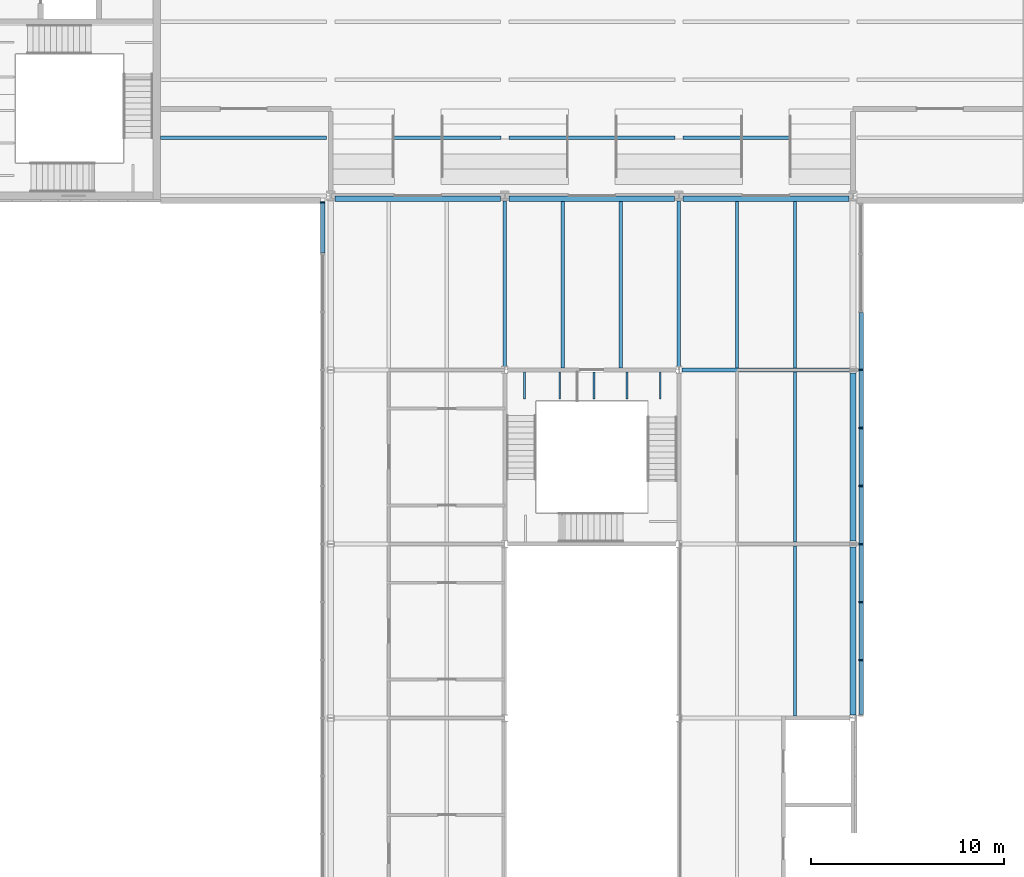
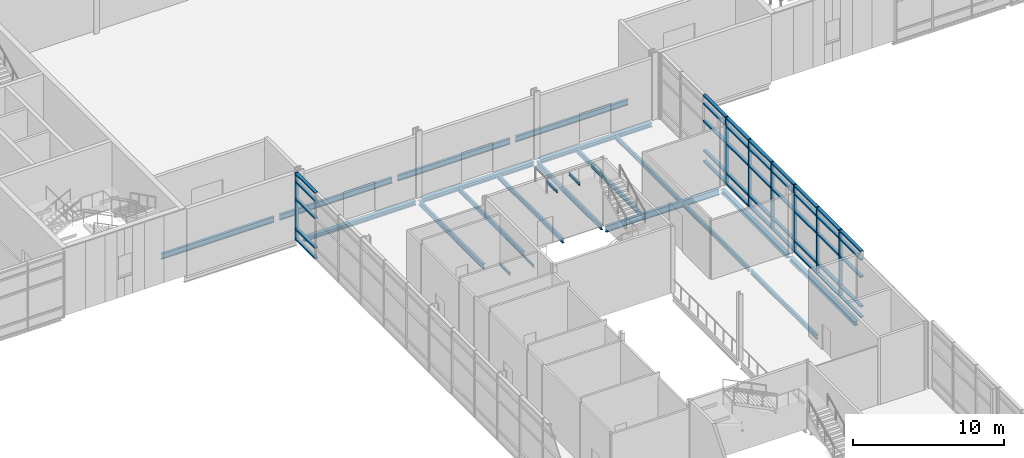
# One storey, part 18 of 52: 47 members, 23 beams, 2 elements without a shape of their own.
"""IFC4 building model written with IfcOpenShell, lengths in metres."""

from ifc_helpers import new_model, si_unit, direction, frame, origin, origin_2d, place, context, subcontext, project, spatial, rectangle, i_section, extrude, material, material_profile, profile_set, type_object, element, aggregate, save


model = new_model("IFC4")

# Units and contexts
model_context = context("Model", 3, precision=1e-05, world=origin(), true_north=direction((0.0, 1.0)))
body_context = subcontext(model_context, "Body", "Model", "MODEL_VIEW")
ifc_project = project(units=[si_unit("LENGTHUNIT", "METRE"), si_unit("AREAUNIT", "SQUARE_METRE"), si_unit("VOLUMEUNIT", "CUBIC_METRE"), si_unit("PLANEANGLEUNIT", "RADIAN"), si_unit("MASSUNIT", "GRAM", prefix="KILO")], contexts=[model_context])

# Site, building, storey
site_placement = place(None, origin())
site = spatial("IfcSite", under=ifc_project, at=site_placement, CompositionType="ELEMENT")
building_placement = place(site_placement, origin())
building = spatial("IfcBuilding", under=site, at=building_placement, Name="Azimuth Sports and Learning Centre", CompositionType="ELEMENT")
storey_placement = place(building_placement, frame((0.0, 0.0, 16.199951171875)))
storey = spatial("IfcBuildingStorey", under=building, at=storey_placement, Name="L03", CompositionType="ELEMENT", Elevation=16.199951171875)

# Beams
ifc_material_1 = material(Name="Steel S355", Category="steel")
ifc_material_profile_1 = material_profile(ifc_material_1, i_section(OverallWidth=0.10009765625, OverallDepth=0.199951171875, WebThickness=0.005615234375, FlangeThickness=0.008544921875, FilletRadius=0.011962890625, at=origin_2d()), Name="IPE 200")
ifc_profile_set_1 = profile_set([ifc_material_profile_1], Name="Steel S355")
beam_type_1 = type_object("IfcBeamType", Name="Beam IPE 200", PredefinedType="BEAM", material=ifc_profile_set_1)
for number, where, z_axis, x_axis, name in (
    (1, (82.02001953125, 80.89990234375, -0.300048828125), (0.0, -1.0, 0.0), (1.0, 0.0, 0.0), "Landing bracket STD L03 1186"),
    (2, (83.840087890625, 80.89990234375, -0.300048828125), (0.0, -1.0, 0.0), (1.0, 0.0, 0.0), "Landing bracket STD L03 1187"),
    (3, (85.606689453125, 80.89990234375, 5.10009765625), (0.0, -1.0, 0.0), (1.0, 0.0, 0.0), "Landing bracket STD L03 1192"),
    (4, (87.320068359375, 80.89990234375, 5.10009765625), (0.0, -1.0, 0.0), (1.0, 0.0, 0.0), "Landing bracket STD L03 1193"),
    (5, (89.033447265625, 80.89990234375, 5.10009765625), (0.0, -1.0, 0.0), (1.0, 0.0, 0.0), "Landing bracket STD L03 1194"),
):
    element("IfcBeam", number, at=place(storey_placement, frame(where, z_axis=z_axis, x_axis=x_axis)), inside=storey, type_object=beam_type_1, Name=name, PredefinedType="BEAM", context=body_context, shape_type="SweptSolid", body=[
        extrude(i_section(OverallWidth=0.10009765625, OverallDepth=0.199951171875, WebThickness=0.005615234375, FlangeThickness=0.008544921875, FilletRadius=0.011962890625, at=origin_2d()), origin(), (0.0, 0.0, 1.0), 1.409912109375),
    ])
ifc_material_2 = material(Name="Steel S355", Category="steel")
ifc_material_profile_2 = material_profile(ifc_material_2, i_section(OverallWidth=0.179931640625, OverallDepth=0.39990234375, WebThickness=0.008544921875, FlangeThickness=0.013427734375, FilletRadius=0.02099609375, at=origin_2d()), Name="IPE 400")
ifc_profile_set_2 = profile_set([ifc_material_profile_2], Name="Steel S355")
beam_type_2 = type_object("IfcBeamType", Name="Beam IPE 400", PredefinedType="BEAM", material=ifc_profile_set_2)
for number, where, z_axis, x_axis, name in (
    (6, (81.0, 81.179931640625, -0.349853515625), (0.0, 1.0, 0.0), (-1.0, 0.0, 0.0), "Beam L03 ST 34"),
    (7, (90.0, 81.179931640625, -0.349853515625), (0.0, 1.0, 0.0), (-1.0, 0.0, 0.0), "Beam L03 ST 40"),
):
    element("IfcBeam", number, at=place(storey_placement, frame(where, z_axis=z_axis, x_axis=x_axis)), inside=storey, type_object=beam_type_2, Name=name, PredefinedType="BEAM", context=body_context, shape_type="SweptSolid", body=[
        extrude(i_section(OverallWidth=0.179931640625, OverallDepth=0.39990234375, WebThickness=0.008544921875, FlangeThickness=0.013427734375, FilletRadius=0.02099609375, at=origin_2d()), origin(), (0.0, 0.0, 1.0), 8.56298828125),
    ])
ifc_material_3 = material(Name="Steel S355", Category="steel")
ifc_material_profile_3 = material_profile(ifc_material_3, i_section(OverallWidth=0.199951171875, OverallDepth=0.5, WebThickness=0.01025390625, FlangeThickness=0.01611328125, FilletRadius=0.02099609375, at=origin_2d()), Name="IPE 500")
ifc_profile_set_3 = profile_set([ifc_material_profile_3], Name="Steel S355")
beam_type_3 = type_object("IfcBeamType", Name="Beam IPE 500", PredefinedType="BEAM", material=ifc_profile_set_3)
beam_1_placement = place(storey_placement, frame((90.14990234375, 81.0, -0.39990234375), z_axis=(1.0, 0.0, 0.0), x_axis=(0.0, 1.0, 0.0)))
element("IfcBeam", 8, at=beam_1_placement, inside=storey, type_object=beam_type_3, Name="Beam L03 ST 17", PredefinedType="BEAM", context=body_context, shape_type="SweptSolid", body=[
    extrude(i_section(OverallWidth=0.199951171875, OverallDepth=0.5, WebThickness=0.01025390625, FlangeThickness=0.01611328125, FilletRadius=0.02099609375, at=origin_2d()), origin(), (0.0, 0.0, 1.0), 8.670166015625),
])
ifc_material_4 = material(Name="Steel S355", Category="steel")
ifc_material_profile_4 = material_profile(ifc_material_4, i_section(OverallWidth=0.300048828125, OverallDepth=0.330078125, WebThickness=0.009521484375, FlangeThickness=0.0166015625, FilletRadius=0.027099609375, at=origin_2d()), Name="HEA 340")
ifc_profile_set_4 = profile_set([ifc_material_profile_4], Name="Steel S355")
beam_type_4 = type_object("IfcBeamType", Name="Edge beam HEA 340", PredefinedType="SPANDREL", material=ifc_profile_set_4)
for number, where, z_axis, x_axis, name in (
    (9, (72.218505859375, 89.85009765625, -0.31494140625), (1.0, 0.0, 0.0), (0.0, 1.0, 0.0), "Edge beam L03 ST 18"),
    (10, (81.218505859375, 89.85009765625, -0.31494140625), (1.0, 0.0, 0.0), (0.0, 1.0, 0.0), "Edge beam L03 ST 19"),
    (11, (90.218505859375, 89.85009765625, -0.31494140625), (1.0, 0.0, 0.0), (0.0, 1.0, 0.0), "Edge beam L03 ST 20"),
):
    element("IfcBeam", number, at=place(storey_placement, frame(where, z_axis=z_axis, x_axis=x_axis)), inside=storey, type_object=beam_type_4, Name=name, PredefinedType="SPANDREL", context=body_context, shape_type="SweptSolid", body=[
        extrude(i_section(OverallWidth=0.300048828125, OverallDepth=0.330078125, WebThickness=0.009521484375, FlangeThickness=0.0166015625, FilletRadius=0.027099609375, at=origin_2d()), origin(), (0.0, 0.0, 1.0), 8.56298828125),
    ])
for number, where, z_axis, x_axis, name in (
    (12, (99.0, 63.14990234375, -0.31494140625), (0.0, 1.0, 0.0), (-1.0, 0.0, 0.0), "Edge beam L03 ST 45"),
    (13, (99.0, 72.14990234375, -0.31494140625), (0.0, 1.0, 0.0), (-1.0, 0.0, 0.0), "Edge beam L03 ST 46"),
):
    element("IfcBeam", number, at=place(storey_placement, frame(where, z_axis=z_axis, x_axis=x_axis)), inside=storey, type_object=beam_type_4, Name=name, PredefinedType="SPANDREL", context=body_context, shape_type="SweptSolid", body=[
        extrude(i_section(OverallWidth=0.300048828125, OverallDepth=0.330078125, WebThickness=0.009521484375, FlangeThickness=0.0166015625, FilletRadius=0.027099609375, at=origin_2d()), origin(), (0.0, 0.0, 1.0), 8.7001953125),
    ])
ifc_material_5 = material(Name="Steel S355", Category="steel")
ifc_material_profile_5 = material_profile(ifc_material_5, i_section(OverallWidth=0.169921875, OverallDepth=0.360107421875, WebThickness=0.008056640625, FlangeThickness=0.0126953125, FilletRadius=0.01806640625, at=origin_2d()), Name="IPE 360")
ifc_profile_set_5 = profile_set([ifc_material_profile_5], Name="Steel S355")
beam_type_5 = type_object("IfcBeamType", Name="Joist IPE 360", PredefinedType="JOIST", material=ifc_profile_set_5)
for number, where, z_axis, x_axis, name in (
    (14, (84.0, 81.10009765625, -0.329833984375), (0.0, 1.0, 0.0), (-1.0, 0.0, 0.0), "Joist L03 ST 69"),
    (15, (87.0, 81.10009765625, -0.329833984375), (0.0, 1.0, 0.0), (-1.0, 0.0, 0.0), "Joist L03 ST 75"),
    (16, (93.0, 81.10009765625, -0.329833984375), (0.0, 1.0, 0.0), (-1.0, 0.0, 0.0), "Joist L03 ST 83"),
):
    element("IfcBeam", number, at=place(storey_placement, frame(where, z_axis=z_axis, x_axis=x_axis)), inside=storey, type_object=beam_type_5, Name=name, PredefinedType="JOIST", context=body_context, shape_type="SweptSolid", body=[
        extrude(i_section(OverallWidth=0.169921875, OverallDepth=0.360107421875, WebThickness=0.008056640625, FlangeThickness=0.0126953125, FilletRadius=0.01806640625, at=origin_2d()), origin(), (0.0, 0.0, 1.0), 8.599853515625),
    ])
for number, where, z_axis, x_axis, name in (
    (17, (96.0, 63.10009765625, -0.329833984375), (0.0, 1.0, 0.0), (-1.0, 0.0, 0.0), "Joist L03 ST 88"),
    (18, (96.0, 72.10009765625, -0.329833984375), (0.0, 1.0, 0.0), (-1.0, 0.0, 0.0), "Joist L03 ST 89"),
):
    element("IfcBeam", number, at=place(storey_placement, frame(where, z_axis=z_axis, x_axis=x_axis)), inside=storey, type_object=beam_type_5, Name=name, PredefinedType="JOIST", context=body_context, shape_type="SweptSolid", body=[
        extrude(i_section(OverallWidth=0.169921875, OverallDepth=0.360107421875, WebThickness=0.008056640625, FlangeThickness=0.0126953125, FilletRadius=0.01806640625, at=origin_2d()), origin(), (0.0, 0.0, 1.0), 8.7998046875),
    ])
beam_2_placement = place(storey_placement, frame((96.0, 81.10009765625, -0.329833984375), z_axis=(0.0, 1.0, 0.0), x_axis=(-1.0, 0.0, 0.0)))
element("IfcBeam", 19, at=beam_2_placement, inside=storey, type_object=beam_type_5, Name="Joist L03 ST 90", PredefinedType="JOIST", context=body_context, shape_type="SweptSolid", body=[
    extrude(i_section(OverallWidth=0.169921875, OverallDepth=0.360107421875, WebThickness=0.008056640625, FlangeThickness=0.0126953125, FilletRadius=0.01806640625, at=origin_2d()), origin(), (0.0, 0.0, 1.0), 8.599853515625),
])
ifc_material_6 = material(Name="Steel S355", Category="steel")
ifc_material_profile_6 = material_profile(ifc_material_6, i_section(OverallWidth=0.18994140625, OverallDepth=0.449951171875, WebThickness=0.009521484375, FlangeThickness=0.0146484375, FilletRadius=0.02099609375, at=origin_2d()), Name="IPE 450")
ifc_profile_set_6 = profile_set([ifc_material_profile_6], Name="Steel S355")
beam_type_6 = type_object("IfcBeamType", Name="Joist IPE 450", PredefinedType="JOIST", material=ifc_profile_set_6)
beam_3_placement = place(storey_placement, frame((63.199951171875, 93.0, -0.445068359375), z_axis=(1.0, 0.0, 0.0), x_axis=(0.0, 1.0, 0.0)))
element("IfcBeam", 20, at=beam_3_placement, inside=storey, type_object=beam_type_6, Name="Hall B floor joist 1", PredefinedType="JOIST", context=body_context, shape_type="SweptSolid", body=[
    extrude(i_section(OverallWidth=0.18994140625, OverallDepth=0.449951171875, WebThickness=0.009521484375, FlangeThickness=0.0146484375, FilletRadius=0.02099609375, at=origin_2d()), origin(), (0.0, 0.0, 1.0), 8.591064453125),
])
for number, where, z_axis, x_axis, name in (
    (21, (72.208984375, 93.0, -0.445068359375), (1.0, 0.0, 0.0), (0.0, 1.0, 0.0), "Hall B floor joist 11"),
    (22, (81.208984375, 93.0, -0.445068359375), (1.0, 0.0, 0.0), (0.0, 1.0, 0.0), "Hall B floor joist 20"),
    (23, (90.208984375, 93.0, -0.445068359375), (1.0, 0.0, 0.0), (0.0, 1.0, 0.0), "Hall B floor joist 29"),
):
    element("IfcBeam", number, at=place(storey_placement, frame(where, z_axis=z_axis, x_axis=x_axis)), inside=storey, type_object=beam_type_6, Name=name, PredefinedType="JOIST", context=body_context, shape_type="SweptSolid", body=[
        extrude(i_section(OverallWidth=0.18994140625, OverallDepth=0.449951171875, WebThickness=0.009521484375, FlangeThickness=0.0146484375, FilletRadius=0.02099609375, at=origin_2d()), origin(), (0.0, 0.0, 1.0), 8.58203125),
    ])

# Curtain wall, member
ifc_material_7 = material(Name="Aluminium and glass", Category="aluminium")
curtain_wall_type = type_object("IfcCurtainWallType", Name="Curtain wall podium stem 240", PredefinedType="NOTDEFINED", material=ifc_material_7)
curtain_wall_1_placement = place(storey_placement, origin())
curtain_wall_1 = element("IfcCurtainWall", 24, at=curtain_wall_1_placement, inside=storey, type_object=curtain_wall_type, Name="Curtain wall CW03-003", PredefinedType="NOTDEFINED")
ifc_material_8 = material(Name="Aluminium", Category="aluminium")
ifc_material_profile_7 = material_profile(ifc_material_8, rectangle(XDim=0.239990234375, YDim=0.080078125, at=origin_2d()), Name="Mullion 80x240")
ifc_profile_set_7 = profile_set([ifc_material_profile_7], Name="Aluminium")
member_type_1 = type_object("IfcMemberType", Name="Mullion 80x240", PredefinedType="MULLION", material=ifc_profile_set_7)
member_1_placement = place(storey_placement, frame((71.580078125, 89.659912109375, 0.0), z_axis=(0.0, 0.0, 1.0), x_axis=(1.0, 0.0, 0.0)))
member_1 = element("IfcMember", 25, at=member_1_placement, type_object=member_type_1, Name="CW03-003 mullion 1", PredefinedType="MULLION", context=body_context, shape_type="SweptSolid", body=[
    extrude(rectangle(XDim=0.239990234375, YDim=0.080078125, at=origin_2d()), origin(), (0.0, 0.0, 1.0), 5.400146484375),
])

# Curtain wall, members
curtain_wall_2_placement = place(storey_placement, origin())
curtain_wall_2 = element("IfcCurtainWall", 26, at=curtain_wall_2_placement, inside=storey, type_object=curtain_wall_type, Name="Curtain wall CW03-008", PredefinedType="NOTDEFINED")
member_2_placement = place(storey_placement, frame((99.419921875, 66.0, 0.0), z_axis=(0.0, 0.0, 1.0), x_axis=(-1.0, 0.0, 0.0)))
member_2 = element("IfcMember", 27, at=member_2_placement, type_object=member_type_1, Name="CW03-008 mullion 2", PredefinedType="MULLION", context=body_context, shape_type="SweptSolid", body=[
    extrude(rectangle(XDim=0.239990234375, YDim=0.080078125, at=origin_2d()), origin(), (0.0, 0.0, 1.0), 5.400146484375),
])
member_3_placement = place(storey_placement, frame((99.419921875, 69.0, 0.0), z_axis=(0.0, 0.0, 1.0), x_axis=(-1.0, 0.0, 0.0)))
member_3 = element("IfcMember", 28, at=member_3_placement, type_object=member_type_1, Name="CW03-008 mullion 3", PredefinedType="MULLION", context=body_context, shape_type="SweptSolid", body=[
    extrude(rectangle(XDim=0.239990234375, YDim=0.080078125, at=origin_2d()), origin(), (0.0, 0.0, 1.0), 5.400146484375),
])
member_4_placement = place(storey_placement, frame((99.419921875, 72.0, 0.0), z_axis=(0.0, 0.0, 1.0), x_axis=(-1.0, 0.0, 0.0)))
member_4 = element("IfcMember", 29, at=member_4_placement, type_object=member_type_1, Name="CW03-008 mullion 4", PredefinedType="MULLION", context=body_context, shape_type="SweptSolid", body=[
    extrude(rectangle(XDim=0.239990234375, YDim=0.080078125, at=origin_2d()), origin(), (0.0, 0.0, 1.0), 5.400146484375),
])
member_5_placement = place(storey_placement, frame((99.419921875, 75.0, 0.0), z_axis=(0.0, 0.0, 1.0), x_axis=(-1.0, 0.0, 0.0)))
member_5 = element("IfcMember", 30, at=member_5_placement, type_object=member_type_1, Name="CW03-008 mullion 5", PredefinedType="MULLION", context=body_context, shape_type="SweptSolid", body=[
    extrude(rectangle(XDim=0.239990234375, YDim=0.080078125, at=origin_2d()), origin(), (0.0, 0.0, 1.0), 5.400146484375),
])
member_6_placement = place(storey_placement, frame((99.419921875, 78.0, 0.0), z_axis=(0.0, 0.0, 1.0), x_axis=(-1.0, 0.0, 0.0)))
member_6 = element("IfcMember", 31, at=member_6_placement, type_object=member_type_1, Name="CW03-008 mullion 6", PredefinedType="MULLION", context=body_context, shape_type="SweptSolid", body=[
    extrude(rectangle(XDim=0.239990234375, YDim=0.080078125, at=origin_2d()), origin(), (0.0, 0.0, 1.0), 5.400146484375),
])
member_7_placement = place(storey_placement, frame((99.419921875, 81.0, 0.0), z_axis=(0.0, 0.0, 1.0), x_axis=(-1.0, 0.0, 0.0)))
member_7 = element("IfcMember", 32, at=member_7_placement, type_object=member_type_1, Name="CW03-008 mullion 7", PredefinedType="MULLION", context=body_context, shape_type="SweptSolid", body=[
    extrude(rectangle(XDim=0.239990234375, YDim=0.080078125, at=origin_2d()), origin(), (0.0, 0.0, 1.0), 5.400146484375),
])

# Member
ifc_material_9 = material(Name="Aluminium", Category="aluminium")
ifc_material_profile_8 = material_profile(ifc_material_9, rectangle(XDim=0.239990234375, YDim=0.1201171875, at=origin_2d()), Name="Transom 120x240")
ifc_profile_set_8 = profile_set([ifc_material_profile_8], Name="Aluminium")
member_type_2 = type_object("IfcMemberType", Name="Transom 120x240", PredefinedType="USERDEFINED", material=ifc_profile_set_8)
member_8_placement = place(storey_placement, frame((71.580078125, 89.6201171875, 0.06005859375), z_axis=(0.0, -1.0, 0.0), x_axis=(1.0, 0.0, 0.0)))
member_8 = element("IfcMember", 33, at=member_8_placement, type_object=member_type_2, Name="CW03-003 transom 1.1", ObjectType="TRANSOM", PredefinedType="USERDEFINED", context=body_context, shape_type="SweptSolid", body=[
    extrude(rectangle(XDim=0.239990234375, YDim=0.1201171875, at=origin_2d()), origin(), (0.0, 0.0, 1.0), 2.580078125),
])

member_9_placement = place(storey_placement, frame((71.580078125, 89.6201171875, 0.900146484375), z_axis=(0.0, -1.0, 0.0), x_axis=(1.0, 0.0, 0.0)))
member_9 = element("IfcMember", 34, at=member_9_placement, type_object=member_type_2, Name="CW03-003 transom 1.2", ObjectType="TRANSOM", PredefinedType="USERDEFINED", context=body_context, shape_type="SweptSolid", body=[
    extrude(rectangle(XDim=0.239990234375, YDim=0.1201171875, at=origin_2d()), origin(), (0.0, 0.0, 1.0), 2.580078125),
])

member_10_placement = place(storey_placement, frame((71.580078125, 89.6201171875, 3.300048828125), z_axis=(0.0, -1.0, 0.0), x_axis=(1.0, 0.0, 0.0)))
member_10 = element("IfcMember", 35, at=member_10_placement, type_object=member_type_2, Name="CW03-003 transom 1.3", ObjectType="TRANSOM", PredefinedType="USERDEFINED", context=body_context, shape_type="SweptSolid", body=[
    extrude(rectangle(XDim=0.239990234375, YDim=0.1201171875, at=origin_2d()), origin(), (0.0, 0.0, 1.0), 2.580078125),
])

member_11_placement = place(storey_placement, frame((71.580078125, 89.6201171875, 4.699951171875), z_axis=(0.0, -1.0, 0.0), x_axis=(1.0, 0.0, 0.0)))
member_11 = element("IfcMember", 36, at=member_11_placement, type_object=member_type_2, Name="CW03-003 transom 1.4", ObjectType="TRANSOM", PredefinedType="USERDEFINED", context=body_context, shape_type="SweptSolid", body=[
    extrude(rectangle(XDim=0.239990234375, YDim=0.1201171875, at=origin_2d()), origin(), (0.0, 0.0, 1.0), 2.580078125),
])

member_12_placement = place(storey_placement, frame((71.580078125, 89.6201171875, 5.340087890625), z_axis=(0.0, -1.0, 0.0), x_axis=(1.0, 0.0, 0.0)))
member_12 = element("IfcMember", 37, at=member_12_placement, type_object=member_type_2, Name="CW03-003 transom 1.5", ObjectType="TRANSOM", PredefinedType="USERDEFINED", context=body_context, shape_type="SweptSolid", body=[
    extrude(rectangle(XDim=0.239990234375, YDim=0.1201171875, at=origin_2d()), origin(), (0.0, 0.0, 1.0), 2.580078125),
])

aggregate(curtain_wall_1, [member_1, member_8, member_9, member_10, member_11, member_12])

member_13_placement = place(storey_placement, frame((99.419921875, 63.179931640625, 0.06005859375), z_axis=(0.0, 1.0, 0.0), x_axis=(-1.0, 0.0, 0.0)))
member_13 = element("IfcMember", 38, at=member_13_placement, type_object=member_type_2, Name="CW03-008 transom 1.1", ObjectType="TRANSOM", PredefinedType="USERDEFINED", context=body_context, shape_type="SweptSolid", body=[
    extrude(rectangle(XDim=0.239990234375, YDim=0.1201171875, at=origin_2d()), origin(), (0.0, 0.0, 1.0), 2.780029296875),
])

member_14_placement = place(storey_placement, frame((99.419921875, 63.179931640625, 0.900146484375), z_axis=(0.0, 1.0, 0.0), x_axis=(-1.0, 0.0, 0.0)))
member_14 = element("IfcMember", 39, at=member_14_placement, type_object=member_type_2, Name="CW03-008 transom 1.2", ObjectType="TRANSOM", PredefinedType="USERDEFINED", context=body_context, shape_type="SweptSolid", body=[
    extrude(rectangle(XDim=0.239990234375, YDim=0.1201171875, at=origin_2d()), origin(), (0.0, 0.0, 1.0), 2.780029296875),
])

member_15_placement = place(storey_placement, frame((99.419921875, 63.179931640625, 3.300048828125), z_axis=(0.0, 1.0, 0.0), x_axis=(-1.0, 0.0, 0.0)))
member_15 = element("IfcMember", 40, at=member_15_placement, type_object=member_type_2, Name="CW03-008 transom 1.3", ObjectType="TRANSOM", PredefinedType="USERDEFINED", context=body_context, shape_type="SweptSolid", body=[
    extrude(rectangle(XDim=0.239990234375, YDim=0.1201171875, at=origin_2d()), origin(), (0.0, 0.0, 1.0), 2.780029296875),
])

member_16_placement = place(storey_placement, frame((99.419921875, 63.179931640625, 4.699951171875), z_axis=(0.0, 1.0, 0.0), x_axis=(-1.0, 0.0, 0.0)))
member_16 = element("IfcMember", 41, at=member_16_placement, type_object=member_type_2, Name="CW03-008 transom 1.4", ObjectType="TRANSOM", PredefinedType="USERDEFINED", context=body_context, shape_type="SweptSolid", body=[
    extrude(rectangle(XDim=0.239990234375, YDim=0.1201171875, at=origin_2d()), origin(), (0.0, 0.0, 1.0), 2.780029296875),
])

member_17_placement = place(storey_placement, frame((99.419921875, 63.179931640625, 5.340087890625), z_axis=(0.0, 1.0, 0.0), x_axis=(-1.0, 0.0, 0.0)))
member_17 = element("IfcMember", 42, at=member_17_placement, type_object=member_type_2, Name="CW03-008 transom 1.5", ObjectType="TRANSOM", PredefinedType="USERDEFINED", context=body_context, shape_type="SweptSolid", body=[
    extrude(rectangle(XDim=0.239990234375, YDim=0.1201171875, at=origin_2d()), origin(), (0.0, 0.0, 1.0), 2.780029296875),
])

member_18_placement = place(storey_placement, frame((99.419921875, 66.0400390625, 0.06005859375), z_axis=(0.0, 1.0, 0.0), x_axis=(-1.0, 0.0, 0.0)))
member_18 = element("IfcMember", 43, at=member_18_placement, type_object=member_type_2, Name="CW03-008 transom 2.1", ObjectType="TRANSOM", PredefinedType="USERDEFINED", context=body_context, shape_type="SweptSolid", body=[
    extrude(rectangle(XDim=0.239990234375, YDim=0.1201171875, at=origin_2d()), origin(), (0.0, 0.0, 1.0), 2.919921875),
])

member_19_placement = place(storey_placement, frame((99.419921875, 66.0400390625, 0.900146484375), z_axis=(0.0, 1.0, 0.0), x_axis=(-1.0, 0.0, 0.0)))
member_19 = element("IfcMember", 44, at=member_19_placement, type_object=member_type_2, Name="CW03-008 transom 2.2", ObjectType="TRANSOM", PredefinedType="USERDEFINED", context=body_context, shape_type="SweptSolid", body=[
    extrude(rectangle(XDim=0.239990234375, YDim=0.1201171875, at=origin_2d()), origin(), (0.0, 0.0, 1.0), 2.919921875),
])

member_20_placement = place(storey_placement, frame((99.419921875, 66.0400390625, 3.300048828125), z_axis=(0.0, 1.0, 0.0), x_axis=(-1.0, 0.0, 0.0)))
member_20 = element("IfcMember", 45, at=member_20_placement, type_object=member_type_2, Name="CW03-008 transom 2.3", ObjectType="TRANSOM", PredefinedType="USERDEFINED", context=body_context, shape_type="SweptSolid", body=[
    extrude(rectangle(XDim=0.239990234375, YDim=0.1201171875, at=origin_2d()), origin(), (0.0, 0.0, 1.0), 2.919921875),
])

member_21_placement = place(storey_placement, frame((99.419921875, 66.0400390625, 4.699951171875), z_axis=(0.0, 1.0, 0.0), x_axis=(-1.0, 0.0, 0.0)))
member_21 = element("IfcMember", 46, at=member_21_placement, type_object=member_type_2, Name="CW03-008 transom 2.4", ObjectType="TRANSOM", PredefinedType="USERDEFINED", context=body_context, shape_type="SweptSolid", body=[
    extrude(rectangle(XDim=0.239990234375, YDim=0.1201171875, at=origin_2d()), origin(), (0.0, 0.0, 1.0), 2.919921875),
])

member_22_placement = place(storey_placement, frame((99.419921875, 66.0400390625, 5.340087890625), z_axis=(0.0, 1.0, 0.0), x_axis=(-1.0, 0.0, 0.0)))
member_22 = element("IfcMember", 47, at=member_22_placement, type_object=member_type_2, Name="CW03-008 transom 2.5", ObjectType="TRANSOM", PredefinedType="USERDEFINED", context=body_context, shape_type="SweptSolid", body=[
    extrude(rectangle(XDim=0.239990234375, YDim=0.1201171875, at=origin_2d()), origin(), (0.0, 0.0, 1.0), 2.919921875),
])

member_23_placement = place(storey_placement, frame((99.419921875, 69.0400390625, 0.06005859375), z_axis=(0.0, 1.0, 0.0), x_axis=(-1.0, 0.0, 0.0)))
member_23 = element("IfcMember", 48, at=member_23_placement, type_object=member_type_2, Name="CW03-008 transom 3.1", ObjectType="TRANSOM", PredefinedType="USERDEFINED", context=body_context, shape_type="SweptSolid", body=[
    extrude(rectangle(XDim=0.239990234375, YDim=0.1201171875, at=origin_2d()), origin(), (0.0, 0.0, 1.0), 2.919921875),
])

member_24_placement = place(storey_placement, frame((99.419921875, 69.0400390625, 0.900146484375), z_axis=(0.0, 1.0, 0.0), x_axis=(-1.0, 0.0, 0.0)))
member_24 = element("IfcMember", 49, at=member_24_placement, type_object=member_type_2, Name="CW03-008 transom 3.2", ObjectType="TRANSOM", PredefinedType="USERDEFINED", context=body_context, shape_type="SweptSolid", body=[
    extrude(rectangle(XDim=0.239990234375, YDim=0.1201171875, at=origin_2d()), origin(), (0.0, 0.0, 1.0), 2.919921875),
])

member_25_placement = place(storey_placement, frame((99.419921875, 69.0400390625, 3.300048828125), z_axis=(0.0, 1.0, 0.0), x_axis=(-1.0, 0.0, 0.0)))
member_25 = element("IfcMember", 50, at=member_25_placement, type_object=member_type_2, Name="CW03-008 transom 3.3", ObjectType="TRANSOM", PredefinedType="USERDEFINED", context=body_context, shape_type="SweptSolid", body=[
    extrude(rectangle(XDim=0.239990234375, YDim=0.1201171875, at=origin_2d()), origin(), (0.0, 0.0, 1.0), 2.919921875),
])

member_26_placement = place(storey_placement, frame((99.419921875, 69.0400390625, 4.699951171875), z_axis=(0.0, 1.0, 0.0), x_axis=(-1.0, 0.0, 0.0)))
member_26 = element("IfcMember", 51, at=member_26_placement, type_object=member_type_2, Name="CW03-008 transom 3.4", ObjectType="TRANSOM", PredefinedType="USERDEFINED", context=body_context, shape_type="SweptSolid", body=[
    extrude(rectangle(XDim=0.239990234375, YDim=0.1201171875, at=origin_2d()), origin(), (0.0, 0.0, 1.0), 2.919921875),
])

member_27_placement = place(storey_placement, frame((99.419921875, 69.0400390625, 5.340087890625), z_axis=(0.0, 1.0, 0.0), x_axis=(-1.0, 0.0, 0.0)))
member_27 = element("IfcMember", 52, at=member_27_placement, type_object=member_type_2, Name="CW03-008 transom 3.5", ObjectType="TRANSOM", PredefinedType="USERDEFINED", context=body_context, shape_type="SweptSolid", body=[
    extrude(rectangle(XDim=0.239990234375, YDim=0.1201171875, at=origin_2d()), origin(), (0.0, 0.0, 1.0), 2.919921875),
])

member_28_placement = place(storey_placement, frame((99.419921875, 72.0400390625, 0.06005859375), z_axis=(0.0, 1.0, 0.0), x_axis=(-1.0, 0.0, 0.0)))
member_28 = element("IfcMember", 53, at=member_28_placement, type_object=member_type_2, Name="CW03-008 transom 4.1", ObjectType="TRANSOM", PredefinedType="USERDEFINED", context=body_context, shape_type="SweptSolid", body=[
    extrude(rectangle(XDim=0.239990234375, YDim=0.1201171875, at=origin_2d()), origin(), (0.0, 0.0, 1.0), 2.919921875),
])

member_29_placement = place(storey_placement, frame((99.419921875, 72.0400390625, 0.900146484375), z_axis=(0.0, 1.0, 0.0), x_axis=(-1.0, 0.0, 0.0)))
member_29 = element("IfcMember", 54, at=member_29_placement, type_object=member_type_2, Name="CW03-008 transom 4.2", ObjectType="TRANSOM", PredefinedType="USERDEFINED", context=body_context, shape_type="SweptSolid", body=[
    extrude(rectangle(XDim=0.239990234375, YDim=0.1201171875, at=origin_2d()), origin(), (0.0, 0.0, 1.0), 2.919921875),
])

member_30_placement = place(storey_placement, frame((99.419921875, 72.0400390625, 3.300048828125), z_axis=(0.0, 1.0, 0.0), x_axis=(-1.0, 0.0, 0.0)))
member_30 = element("IfcMember", 55, at=member_30_placement, type_object=member_type_2, Name="CW03-008 transom 4.3", ObjectType="TRANSOM", PredefinedType="USERDEFINED", context=body_context, shape_type="SweptSolid", body=[
    extrude(rectangle(XDim=0.239990234375, YDim=0.1201171875, at=origin_2d()), origin(), (0.0, 0.0, 1.0), 2.919921875),
])

member_31_placement = place(storey_placement, frame((99.419921875, 72.0400390625, 4.699951171875), z_axis=(0.0, 1.0, 0.0), x_axis=(-1.0, 0.0, 0.0)))
member_31 = element("IfcMember", 56, at=member_31_placement, type_object=member_type_2, Name="CW03-008 transom 4.4", ObjectType="TRANSOM", PredefinedType="USERDEFINED", context=body_context, shape_type="SweptSolid", body=[
    extrude(rectangle(XDim=0.239990234375, YDim=0.1201171875, at=origin_2d()), origin(), (0.0, 0.0, 1.0), 2.919921875),
])

member_32_placement = place(storey_placement, frame((99.419921875, 72.0400390625, 5.340087890625), z_axis=(0.0, 1.0, 0.0), x_axis=(-1.0, 0.0, 0.0)))
member_32 = element("IfcMember", 57, at=member_32_placement, type_object=member_type_2, Name="CW03-008 transom 4.5", ObjectType="TRANSOM", PredefinedType="USERDEFINED", context=body_context, shape_type="SweptSolid", body=[
    extrude(rectangle(XDim=0.239990234375, YDim=0.1201171875, at=origin_2d()), origin(), (0.0, 0.0, 1.0), 2.919921875),
])

member_33_placement = place(storey_placement, frame((99.419921875, 75.0400390625, 0.06005859375), z_axis=(0.0, 1.0, 0.0), x_axis=(-1.0, 0.0, 0.0)))
member_33 = element("IfcMember", 58, at=member_33_placement, type_object=member_type_2, Name="CW03-008 transom 5.1", ObjectType="TRANSOM", PredefinedType="USERDEFINED", context=body_context, shape_type="SweptSolid", body=[
    extrude(rectangle(XDim=0.239990234375, YDim=0.1201171875, at=origin_2d()), origin(), (0.0, 0.0, 1.0), 2.919921875),
])

member_34_placement = place(storey_placement, frame((99.419921875, 75.0400390625, 0.900146484375), z_axis=(0.0, 1.0, 0.0), x_axis=(-1.0, 0.0, 0.0)))
member_34 = element("IfcMember", 59, at=member_34_placement, type_object=member_type_2, Name="CW03-008 transom 5.2", ObjectType="TRANSOM", PredefinedType="USERDEFINED", context=body_context, shape_type="SweptSolid", body=[
    extrude(rectangle(XDim=0.239990234375, YDim=0.1201171875, at=origin_2d()), origin(), (0.0, 0.0, 1.0), 2.919921875),
])

member_35_placement = place(storey_placement, frame((99.419921875, 75.0400390625, 3.300048828125), z_axis=(0.0, 1.0, 0.0), x_axis=(-1.0, 0.0, 0.0)))
member_35 = element("IfcMember", 60, at=member_35_placement, type_object=member_type_2, Name="CW03-008 transom 5.3", ObjectType="TRANSOM", PredefinedType="USERDEFINED", context=body_context, shape_type="SweptSolid", body=[
    extrude(rectangle(XDim=0.239990234375, YDim=0.1201171875, at=origin_2d()), origin(), (0.0, 0.0, 1.0), 2.919921875),
])

member_36_placement = place(storey_placement, frame((99.419921875, 75.0400390625, 4.699951171875), z_axis=(0.0, 1.0, 0.0), x_axis=(-1.0, 0.0, 0.0)))
member_36 = element("IfcMember", 61, at=member_36_placement, type_object=member_type_2, Name="CW03-008 transom 5.4", ObjectType="TRANSOM", PredefinedType="USERDEFINED", context=body_context, shape_type="SweptSolid", body=[
    extrude(rectangle(XDim=0.239990234375, YDim=0.1201171875, at=origin_2d()), origin(), (0.0, 0.0, 1.0), 2.919921875),
])

member_37_placement = place(storey_placement, frame((99.419921875, 75.0400390625, 5.340087890625), z_axis=(0.0, 1.0, 0.0), x_axis=(-1.0, 0.0, 0.0)))
member_37 = element("IfcMember", 62, at=member_37_placement, type_object=member_type_2, Name="CW03-008 transom 5.5", ObjectType="TRANSOM", PredefinedType="USERDEFINED", context=body_context, shape_type="SweptSolid", body=[
    extrude(rectangle(XDim=0.239990234375, YDim=0.1201171875, at=origin_2d()), origin(), (0.0, 0.0, 1.0), 2.919921875),
])

member_38_placement = place(storey_placement, frame((99.419921875, 78.0400390625, 0.06005859375), z_axis=(0.0, 1.0, 0.0), x_axis=(-1.0, 0.0, 0.0)))
member_38 = element("IfcMember", 63, at=member_38_placement, type_object=member_type_2, Name="CW03-008 transom 6.1", ObjectType="TRANSOM", PredefinedType="USERDEFINED", context=body_context, shape_type="SweptSolid", body=[
    extrude(rectangle(XDim=0.239990234375, YDim=0.1201171875, at=origin_2d()), origin(), (0.0, 0.0, 1.0), 2.919921875),
])

member_39_placement = place(storey_placement, frame((99.419921875, 78.0400390625, 0.900146484375), z_axis=(0.0, 1.0, 0.0), x_axis=(-1.0, 0.0, 0.0)))
member_39 = element("IfcMember", 64, at=member_39_placement, type_object=member_type_2, Name="CW03-008 transom 6.2", ObjectType="TRANSOM", PredefinedType="USERDEFINED", context=body_context, shape_type="SweptSolid", body=[
    extrude(rectangle(XDim=0.239990234375, YDim=0.1201171875, at=origin_2d()), origin(), (0.0, 0.0, 1.0), 2.919921875),
])

member_40_placement = place(storey_placement, frame((99.419921875, 78.0400390625, 3.300048828125), z_axis=(0.0, 1.0, 0.0), x_axis=(-1.0, 0.0, 0.0)))
member_40 = element("IfcMember", 65, at=member_40_placement, type_object=member_type_2, Name="CW03-008 transom 6.3", ObjectType="TRANSOM", PredefinedType="USERDEFINED", context=body_context, shape_type="SweptSolid", body=[
    extrude(rectangle(XDim=0.239990234375, YDim=0.1201171875, at=origin_2d()), origin(), (0.0, 0.0, 1.0), 2.919921875),
])

member_41_placement = place(storey_placement, frame((99.419921875, 78.0400390625, 4.699951171875), z_axis=(0.0, 1.0, 0.0), x_axis=(-1.0, 0.0, 0.0)))
member_41 = element("IfcMember", 66, at=member_41_placement, type_object=member_type_2, Name="CW03-008 transom 6.4", ObjectType="TRANSOM", PredefinedType="USERDEFINED", context=body_context, shape_type="SweptSolid", body=[
    extrude(rectangle(XDim=0.239990234375, YDim=0.1201171875, at=origin_2d()), origin(), (0.0, 0.0, 1.0), 2.919921875),
])

member_42_placement = place(storey_placement, frame((99.419921875, 78.0400390625, 5.340087890625), z_axis=(0.0, 1.0, 0.0), x_axis=(-1.0, 0.0, 0.0)))
member_42 = element("IfcMember", 67, at=member_42_placement, type_object=member_type_2, Name="CW03-008 transom 6.5", ObjectType="TRANSOM", PredefinedType="USERDEFINED", context=body_context, shape_type="SweptSolid", body=[
    extrude(rectangle(XDim=0.239990234375, YDim=0.1201171875, at=origin_2d()), origin(), (0.0, 0.0, 1.0), 2.919921875),
])

member_43_placement = place(storey_placement, frame((99.419921875, 81.0400390625, 0.06005859375), z_axis=(0.0, 1.0, 0.0), x_axis=(-1.0, 0.0, 0.0)))
member_43 = element("IfcMember", 68, at=member_43_placement, type_object=member_type_2, Name="CW03-008 transom 7.1", ObjectType="TRANSOM", PredefinedType="USERDEFINED", context=body_context, shape_type="SweptSolid", body=[
    extrude(rectangle(XDim=0.239990234375, YDim=0.1201171875, at=origin_2d()), origin(), (0.0, 0.0, 1.0), 2.919921875),
])

member_44_placement = place(storey_placement, frame((99.419921875, 81.0400390625, 0.900146484375), z_axis=(0.0, 1.0, 0.0), x_axis=(-1.0, 0.0, 0.0)))
member_44 = element("IfcMember", 69, at=member_44_placement, type_object=member_type_2, Name="CW03-008 transom 7.2", ObjectType="TRANSOM", PredefinedType="USERDEFINED", context=body_context, shape_type="SweptSolid", body=[
    extrude(rectangle(XDim=0.239990234375, YDim=0.1201171875, at=origin_2d()), origin(), (0.0, 0.0, 1.0), 2.919921875),
])

member_45_placement = place(storey_placement, frame((99.419921875, 81.0400390625, 3.300048828125), z_axis=(0.0, 1.0, 0.0), x_axis=(-1.0, 0.0, 0.0)))
member_45 = element("IfcMember", 70, at=member_45_placement, type_object=member_type_2, Name="CW03-008 transom 7.3", ObjectType="TRANSOM", PredefinedType="USERDEFINED", context=body_context, shape_type="SweptSolid", body=[
    extrude(rectangle(XDim=0.239990234375, YDim=0.1201171875, at=origin_2d()), origin(), (0.0, 0.0, 1.0), 2.919921875),
])

member_46_placement = place(storey_placement, frame((99.419921875, 81.0400390625, 4.699951171875), z_axis=(0.0, 1.0, 0.0), x_axis=(-1.0, 0.0, 0.0)))
member_46 = element("IfcMember", 71, at=member_46_placement, type_object=member_type_2, Name="CW03-008 transom 7.4", ObjectType="TRANSOM", PredefinedType="USERDEFINED", context=body_context, shape_type="SweptSolid", body=[
    extrude(rectangle(XDim=0.239990234375, YDim=0.1201171875, at=origin_2d()), origin(), (0.0, 0.0, 1.0), 2.919921875),
])

member_47_placement = place(storey_placement, frame((99.419921875, 81.0400390625, 5.340087890625), z_axis=(0.0, 1.0, 0.0), x_axis=(-1.0, 0.0, 0.0)))
member_47 = element("IfcMember", 72, at=member_47_placement, type_object=member_type_2, Name="CW03-008 transom 7.5", ObjectType="TRANSOM", PredefinedType="USERDEFINED", context=body_context, shape_type="SweptSolid", body=[
    extrude(rectangle(XDim=0.239990234375, YDim=0.1201171875, at=origin_2d()), origin(), (0.0, 0.0, 1.0), 2.919921875),
])

aggregate(curtain_wall_2, [member_2, member_3, member_4, member_5, member_6, member_7, member_13, member_14, member_15, member_16, member_17, member_18, member_19, member_20, member_21, member_22, member_23, member_24, member_25, member_26, member_27, member_28, member_29, member_30, member_31, member_32, member_33, member_34, member_35, member_36, member_37, member_38, member_39, member_40, member_41, member_42, member_43, member_44, member_45, member_46, member_47])

save(model, "model.ifc")
